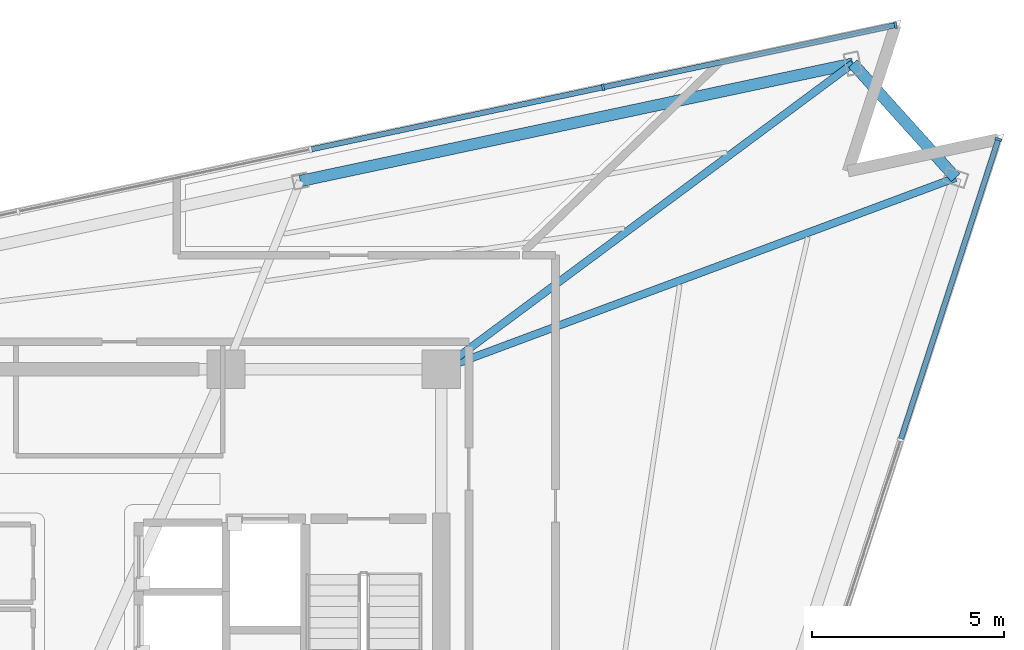
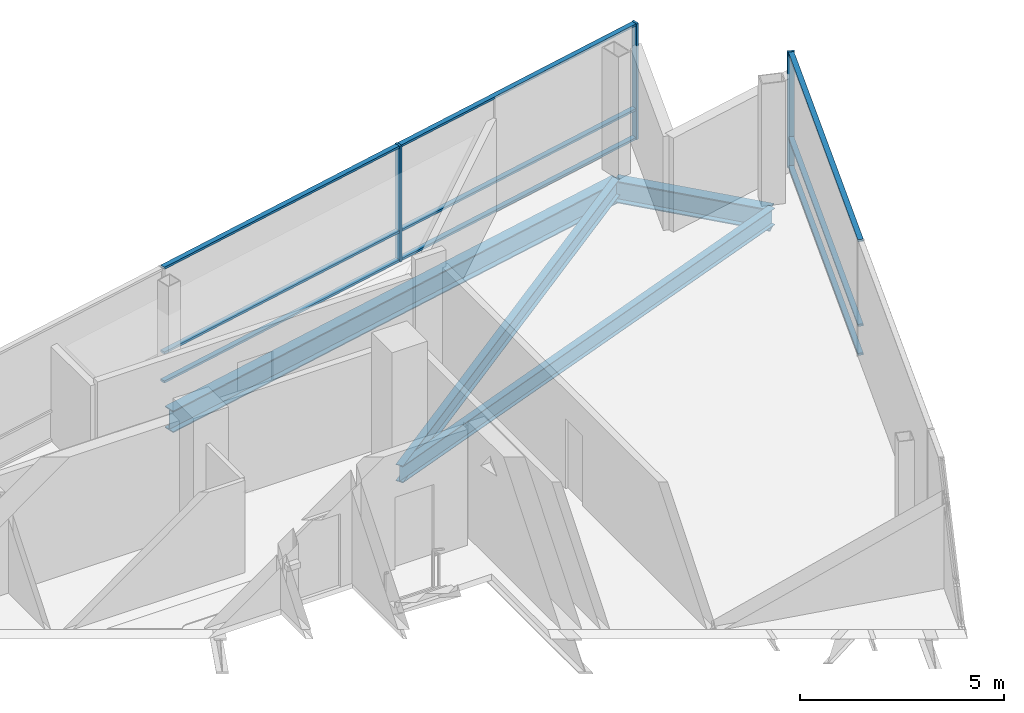
# One storey, part 8 of 15: 12 members, 4 beams, 2 elements without a shape of their own.
"""IFC4 building model written with IfcOpenShell, lengths in metres."""

from ifc_helpers import new_model, si_unit, direction, frame, origin, origin_2d, place, context, subcontext, project, spatial, rectangle, i_section, extrude, material, layer, layer_set, material_profile, profile_set, type_object, element, aggregate, save


model = new_model("IFC4")

# Units and contexts
model_context = context("Model", 3, precision=1e-05, world=origin(), true_north=direction((0.0, 1.0)))
body_context = subcontext(model_context, "Body", "Model", "MODEL_VIEW")
ifc_project = project(units=[si_unit("LENGTHUNIT", "METRE"), si_unit("AREAUNIT", "SQUARE_METRE"), si_unit("VOLUMEUNIT", "CUBIC_METRE"), si_unit("PLANEANGLEUNIT", "RADIAN"), si_unit("MASSUNIT", "GRAM", prefix="KILO")], contexts=[model_context])

# Site, building, storey
site_placement = place(None, origin())
site = spatial("IfcSite", under=ifc_project, at=site_placement, CompositionType="ELEMENT")
building_placement = place(site_placement, origin())
building = spatial("IfcBuilding", under=site, at=building_placement, Name="Tharavind Bronze Gate", CompositionType="ELEMENT")
storey_placement = place(building_placement, frame((0.0, 0.0, 283.39990234375)))
storey = spatial("IfcBuildingStorey", under=building, at=storey_placement, Name="L73", CompositionType="ELEMENT", Elevation=283.39990234375)

# Curtain wall, member
ifc_material_1 = material(Name="Anodised Bronze Aluminium", Category="aluminium")
ifc_layer = layer(ifc_material_1, 0.219970703125)
ifc_layer_set = layer_set([ifc_layer], Name="Anodised Bronze Aluminium")
curtain_wall_type = type_object("IfcCurtainWallType", Name="UNITISED CURTAIN WALL CROWN", PredefinedType="USERDEFINED", material=ifc_layer_set)
curtain_wall_1_placement = place(storey_placement, origin())
curtain_wall_1 = element("IfcCurtainWall", 1, at=curtain_wall_1_placement, inside=storey, type_object=curtain_wall_type, Name="L73 unitised curtain wall crown CW-L73-S2", ObjectType="UNITISED CURTAIN WALL", PredefinedType="USERDEFINED")
member_type_1 = type_object("IfcMemberType", Name="CURTAIN WALL BRONZE MULLION 65X180", PredefinedType="MULLION", material=ifc_material_1)
member_1_placement = place(storey_placement, frame((23.433837890625, 13.603271484375, 0.0), z_axis=(0.0, 0.0, 1.0), x_axis=(0.309016994375, 0.951056516295, 0.0)))
member_1 = element("IfcMember", 2, at=member_1_placement, type_object=member_type_1, Name="CW-L73-S2 mullion 7", PredefinedType="MULLION", context=body_context, shape_type="SweptSolid", body=[
    extrude(rectangle(XDim=0.06494140625, YDim=0.179931640625, at=origin_2d()), origin(), (0.0, 0.0, 1.0), 3.465087890625),
])

# Curtain wall, members
curtain_wall_2_placement = place(storey_placement, origin())
curtain_wall_2 = element("IfcCurtainWall", 3, at=curtain_wall_2_placement, inside=storey, type_object=curtain_wall_type, Name="L73 unitised curtain wall crown CW-L73-S3", ObjectType="UNITISED CURTAIN WALL", PredefinedType="USERDEFINED")
member_2_placement = place(storey_placement, frame((20.751953125, 16.581787109375, 0.0), z_axis=(0.0, 0.0, 1.0), x_axis=(-0.978147237858, -0.207913398007, 0.0)))
member_2 = element("IfcMember", 4, at=member_2_placement, type_object=member_type_1, Name="CW-L73-S3 mullion 1", PredefinedType="MULLION", context=body_context, shape_type="SweptSolid", body=[
    extrude(rectangle(XDim=0.06494140625, YDim=0.179931640625, at=origin_2d()), origin(), (0.0, 0.0, 1.0), 3.465087890625),
])
member_3_placement = place(storey_placement, frame((13.119873046875, 14.959716796875, 0.0), z_axis=(0.0, 0.0, 1.0), x_axis=(-0.978147237858, -0.207913398007, 0.0)))
member_3 = element("IfcMember", 5, at=member_3_placement, type_object=member_type_1, Name="CW-L73-S3 mullion 2", PredefinedType="MULLION", context=body_context, shape_type="SweptSolid", body=[
    extrude(rectangle(XDim=0.06494140625, YDim=0.179931640625, at=origin_2d()), origin(), (0.0, 0.0, 1.0), 3.465087890625),
])

# Member
member_type_2 = type_object("IfcMemberType", Name="CURTAIN WALL BRONZE TRANSOM 65X140", PredefinedType="USERDEFINED", material=ifc_material_1)
member_4_placement = place(storey_placement, frame((22.159423828125, 9.68115234375, 0.000244140625), z_axis=(0.0, 0.0, 1.0), x_axis=(0.309016994375, 0.951056516295, 0.0)))
member_4 = element("IfcMember", 6, at=member_4_placement, type_object=member_type_2, Name="CW-L73-S2 transom TB6", ObjectType="TRANSOM", PredefinedType="USERDEFINED", context=body_context, shape_type="SweptSolid", body=[
    extrude(rectangle(XDim=8.195068359375, YDim=0.139892578125, at=origin_2d()), origin(), (0.0, 0.0, 1.0), 0.06494140625),
])

member_5_placement = place(storey_placement, frame((22.159423828125, 9.68115234375, 0.86767578125), z_axis=(0.0, 0.0, 1.0), x_axis=(0.309016994375, 0.951056516295, 0.0)))
member_5 = element("IfcMember", 7, at=member_5_placement, type_object=member_type_2, Name="CW-L73-S2 transom TS6", ObjectType="TRANSOM", PredefinedType="USERDEFINED", context=body_context, shape_type="SweptSolid", body=[
    extrude(rectangle(XDim=8.195068359375, YDim=0.139892578125, at=origin_2d()), origin(), (0.0, 0.0, 1.0), 0.06494140625),
])

member_6_placement = place(storey_placement, frame((22.159423828125, 9.68115234375, 3.400146484375), z_axis=(0.0, 0.0, 1.0), x_axis=(0.309016994375, 0.951056516295, 0.0)))
member_6 = element("IfcMember", 8, at=member_6_placement, type_object=member_type_2, Name="CW-L73-S2 transom TT6", ObjectType="TRANSOM", PredefinedType="USERDEFINED", context=body_context, shape_type="SweptSolid", body=[
    extrude(rectangle(XDim=8.195068359375, YDim=0.139892578125, at=origin_2d()), origin(), (0.0, 0.0, 1.0), 0.06494140625),
])

aggregate(curtain_wall_1, [member_1, member_4, member_5, member_6])

member_7_placement = place(storey_placement, frame((16.935791015625, 15.770751953125, 0.000244140625), z_axis=(0.0, 0.0, 1.0), x_axis=(-0.978147237858, -0.207913398007, 0.0)))
member_7 = element("IfcMember", 9, at=member_7_placement, type_object=member_type_2, Name="CW-L73-S3 transom TB1", ObjectType="TRANSOM", PredefinedType="USERDEFINED", context=body_context, shape_type="SweptSolid", body=[
    extrude(rectangle(XDim=7.749755859375, YDim=0.139892578125, at=origin_2d()), origin(), (0.0, 0.0, 1.0), 0.06494140625),
])

member_8_placement = place(storey_placement, frame((16.935791015625, 15.770751953125, 0.86767578125), z_axis=(0.0, 0.0, 1.0), x_axis=(-0.978147237858, -0.207913398007, 0.0)))
member_8 = element("IfcMember", 10, at=member_8_placement, type_object=member_type_2, Name="CW-L73-S3 transom TS1", ObjectType="TRANSOM", PredefinedType="USERDEFINED", context=body_context, shape_type="SweptSolid", body=[
    extrude(rectangle(XDim=7.749755859375, YDim=0.139892578125, at=origin_2d()), origin(), (0.0, 0.0, 1.0), 0.06494140625),
])

member_9_placement = place(storey_placement, frame((16.935791015625, 15.770751953125, 3.400146484375), z_axis=(0.0, 0.0, 1.0), x_axis=(-0.978147237858, -0.207913398007, 0.0)))
member_9 = element("IfcMember", 11, at=member_9_placement, type_object=member_type_2, Name="CW-L73-S3 transom TT1", ObjectType="TRANSOM", PredefinedType="USERDEFINED", context=body_context, shape_type="SweptSolid", body=[
    extrude(rectangle(XDim=7.749755859375, YDim=0.139892578125, at=origin_2d()), origin(), (0.0, 0.0, 1.0), 0.06494140625),
])

member_10_placement = place(storey_placement, frame((9.3037109375, 14.1484375, 0.000244140625), z_axis=(0.0, 0.0, 1.0), x_axis=(-0.978147237858, -0.207913398007, 0.0)))
member_10 = element("IfcMember", 12, at=member_10_placement, type_object=member_type_2, Name="CW-L73-S3 transom TB2", ObjectType="TRANSOM", PredefinedType="USERDEFINED", context=body_context, shape_type="SweptSolid", body=[
    extrude(rectangle(XDim=7.749755859375, YDim=0.139892578125, at=origin_2d()), origin(), (0.0, 0.0, 1.0), 0.06494140625),
])

member_11_placement = place(storey_placement, frame((9.3037109375, 14.1484375, 0.86767578125), z_axis=(0.0, 0.0, 1.0), x_axis=(-0.978147237858, -0.207913398007, 0.0)))
member_11 = element("IfcMember", 13, at=member_11_placement, type_object=member_type_2, Name="CW-L73-S3 transom TS2", ObjectType="TRANSOM", PredefinedType="USERDEFINED", context=body_context, shape_type="SweptSolid", body=[
    extrude(rectangle(XDim=7.749755859375, YDim=0.139892578125, at=origin_2d()), origin(), (0.0, 0.0, 1.0), 0.06494140625),
])

member_12_placement = place(storey_placement, frame((9.3037109375, 14.1484375, 3.400146484375), z_axis=(0.0, 0.0, 1.0), x_axis=(-0.978147237858, -0.207913398007, 0.0)))
member_12 = element("IfcMember", 14, at=member_12_placement, type_object=member_type_2, Name="CW-L73-S3 transom TT2", ObjectType="TRANSOM", PredefinedType="USERDEFINED", context=body_context, shape_type="SweptSolid", body=[
    extrude(rectangle(XDim=7.749755859375, YDim=0.139892578125, at=origin_2d()), origin(), (0.0, 0.0, 1.0), 0.06494140625),
])

aggregate(curtain_wall_2, [member_2, member_3, member_7, member_8, member_9, member_10, member_11, member_12])

# Beams
ifc_material_2 = material(Name="Steel S355", Category="steel")
ifc_material_profile_1 = material_profile(ifc_material_2, i_section(OverallWidth=0.300048828125, OverallDepth=0.64990234375, WebThickness=0.01611328125, FlangeThickness=0.031005859375, at=origin_2d()), Name="HE650B")
ifc_profile_set_1 = profile_set([ifc_material_profile_1], Name="Steel S355")
beam_type_1 = type_object("IfcBeamType", Name="PRIMARY GIRDER HE650B", PredefinedType="USERDEFINED", material=ifc_profile_set_1)
beam_1_placement = place(storey_placement, frame((22.319091796875, 12.599609375, -0.510009765625), z_axis=(-0.669132983361, 0.743142685208, 0.0), x_axis=(-0.743142685208, -0.669132983361, 0.0)))
element("IfcBeam", 15, at=beam_1_placement, inside=storey, type_object=beam_type_1, Name="L73 primary girder he650b BM-L73-PRG08", ObjectType="GIRDER", PredefinedType="USERDEFINED", context=body_context, shape_type="SweptSolid", body=[
    extrude(i_section(OverallWidth=0.300048828125, OverallDepth=0.64990234375, WebThickness=0.01611328125, FlangeThickness=0.031005859375, at=origin_2d()), origin(), (0.0, 0.0, 1.0), 4.008056640625),
])
beam_2_placement = place(storey_placement, frame((19.63720703125, 15.578125, -0.510009765625), z_axis=(-0.97814794647, -0.207910064249, 0.0), x_axis=(0.207910064249, -0.97814794647, 0.0)))
element("IfcBeam", 16, at=beam_2_placement, inside=storey, type_object=beam_type_1, Name="L73 primary girder he650b BM-L73-PRG09", ObjectType="GIRDER", PredefinedType="USERDEFINED", context=body_context, shape_type="SweptSolid", body=[
    extrude(i_section(OverallWidth=0.300048828125, OverallDepth=0.64990234375, WebThickness=0.01611328125, FlangeThickness=0.031005859375, at=origin_2d()), origin(), (0.0, 0.0, 1.0), 14.7392578125),
])
ifc_material_profile_2 = material_profile(ifc_material_2, i_section(OverallWidth=0.199951171875, OverallDepth=0.5, WebThickness=0.01025390625, FlangeThickness=0.01611328125, at=origin_2d()), Name="IPE500")
ifc_profile_set_2 = profile_set([ifc_material_profile_2], Name="Steel S355")
beam_type_2 = type_object("IfcBeamType", Name="PRIMARY GIRDER IPE500", PredefinedType="USERDEFINED", material=ifc_profile_set_2)
beam_3_placement = place(storey_placement, frame((22.319091796875, 12.599609375, -0.434814453125), z_axis=(-0.937077412275, -0.349121645567, 0.0), x_axis=(0.349121645567, -0.937077412275, 0.0)))
element("IfcBeam", 17, at=beam_3_placement, inside=storey, type_object=beam_type_2, Name="L73 primary girder ipe500 BM-L73-RAD08", ObjectType="GIRDER", PredefinedType="USERDEFINED", context=body_context, shape_type="SweptSolid", body=[
    extrude(i_section(OverallWidth=0.199951171875, OverallDepth=0.5, WebThickness=0.01025390625, FlangeThickness=0.01611328125, at=origin_2d()), origin(), (0.0, 0.0, 1.0), 14.3203125),
])
beam_4_placement = place(storey_placement, frame((19.63720703125, 15.578125, -0.434814453125), z_axis=(-0.802681438581, -0.596408004774, 0.0), x_axis=(0.596408004774, -0.802681438581, 0.0)))
element("IfcBeam", 18, at=beam_4_placement, inside=storey, type_object=beam_type_2, Name="L73 primary girder ipe500 BM-L73-RAD09", ObjectType="GIRDER", PredefinedType="USERDEFINED", context=body_context, shape_type="SweptSolid", body=[
    extrude(i_section(OverallWidth=0.199951171875, OverallDepth=0.5, WebThickness=0.01025390625, FlangeThickness=0.01611328125, at=origin_2d()), origin(), (0.0, 0.0, 1.0), 13.376708984375),
])

save(model, "model.ifc")
